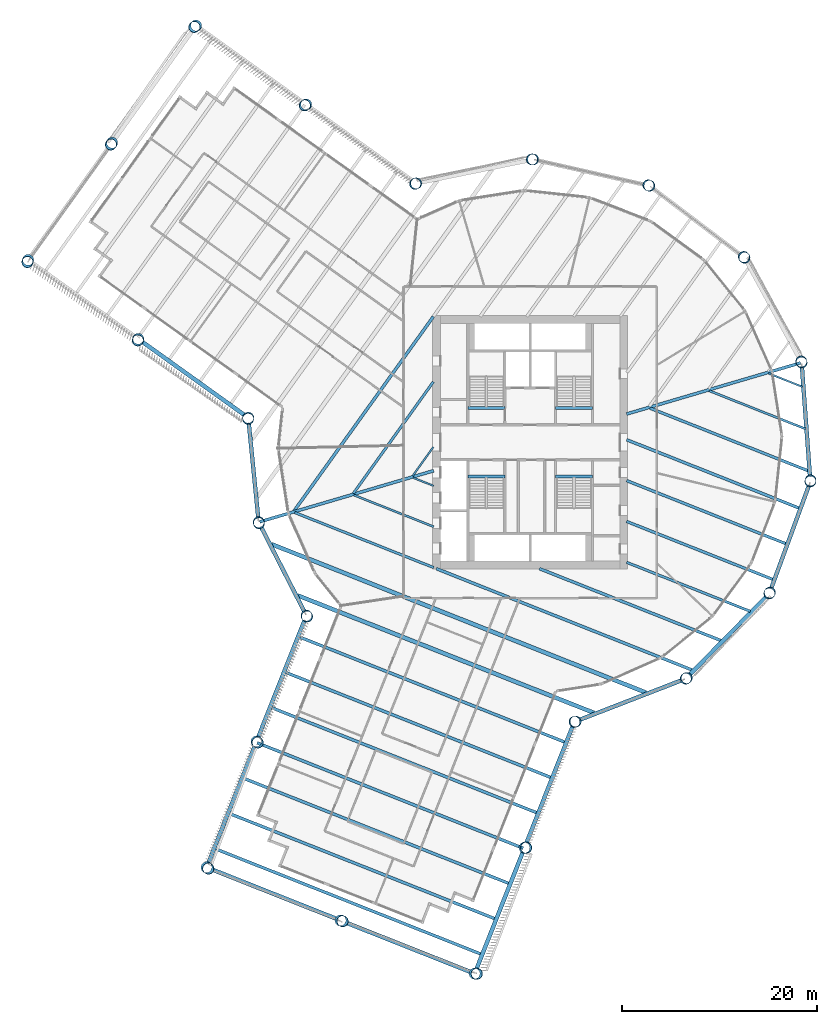
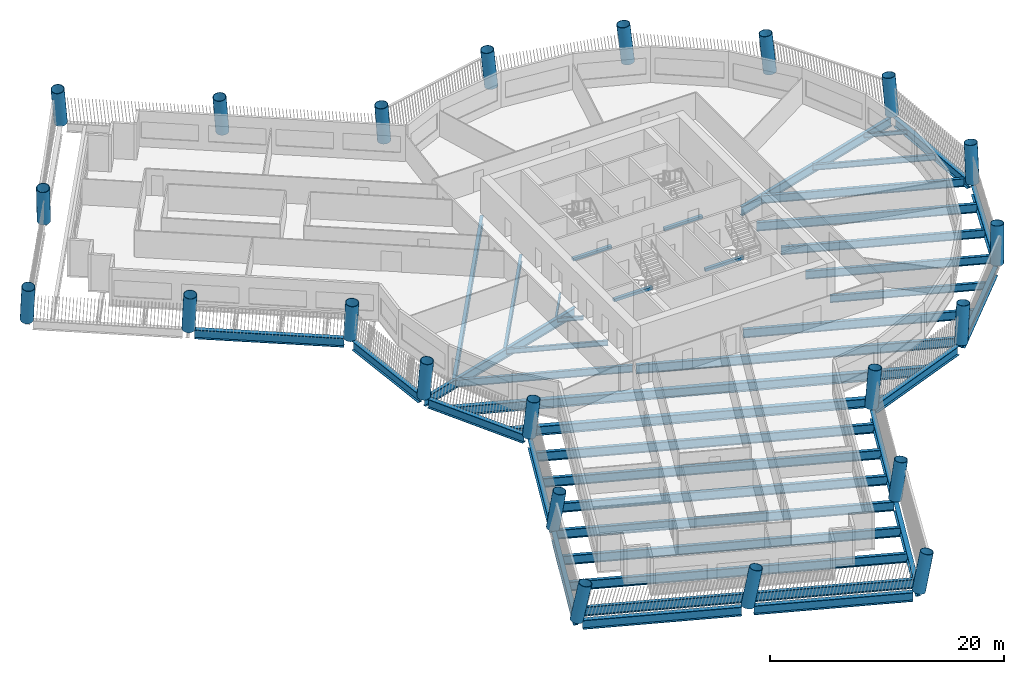
# One storey, part 1 of 17: 43 beams, 22 columns.
"""IFC4 building model written with IfcOpenShell, lengths in metres."""

from ifc_helpers import new_model, si_unit, direction, frame, origin, origin_2d, place, context, subcontext, project, spatial, rectangle, hollow_circle, i_section, extrude, material, material_profile, profile_set, type_object, element, save


model = new_model("IFC4")

# Units and contexts
model_context = context("Model", 3, precision=1e-05, world=origin(), true_north=direction((0.0, 1.0)))
body_context = subcontext(model_context, "Body", "Model", "MODEL_VIEW")
ifc_project = project(units=[si_unit("LENGTHUNIT", "METRE"), si_unit("AREAUNIT", "SQUARE_METRE"), si_unit("VOLUMEUNIT", "CUBIC_METRE"), si_unit("PLANEANGLEUNIT", "RADIAN"), si_unit("MASSUNIT", "GRAM", prefix="KILO")], contexts=[model_context])

# Site, building, storey
site_placement = place(None, origin())
site = spatial("IfcSite", under=ifc_project, at=site_placement, CompositionType="ELEMENT")
building_placement = place(site_placement, origin())
building = spatial("IfcBuilding", under=site, at=building_placement, Name="Tarsis Ring Headquarters", CompositionType="ELEMENT")
storey_placement = place(building_placement, frame((0.0, 0.0, 127.89990234375)))
storey = spatial("IfcBuildingStorey", under=building, at=storey_placement, Name="L29", CompositionType="ELEMENT", Elevation=127.89990234375)

# Columns
ifc_material_1 = material(Name="Structural steel S355", Category="steel")
ifc_material_profile_1 = material_profile(ifc_material_1, hollow_circle(Radius=0.584228515625, WallThickness=0.044921875, at=origin_2d()), Name="CHS 1168x45")
ifc_profile_set_1 = profile_set([ifc_material_profile_1], Name="Structural steel S355")
column_type = type_object("IfcColumnType", Name="XC Exo column CHS 1168x45", PredefinedType="COLUMN", material=ifc_profile_set_1)
for number, where, z_axis, x_axis, name in (
    (1, (-27.869384765625, -8.19189453125, 0.0009765625), (0.029098652981, -0.096580111606, 0.994899769041), (0.957485578267, 0.288481138742, 0.0), "Exo column XC3 F1"),
    (2, (-22.96826171875, -17.7841796875, 0.0009765625), (0.062309756681, -0.079320320255, 0.994899884922), (0.786382641851, 0.617739702946, 0.0), "Exo column XC3 AK"),
):
    element("IfcColumn", number, at=place(storey_placement, frame(where, z_axis=z_axis, x_axis=x_axis)), inside=storey, type_object=column_type, Name=name, PredefinedType="COLUMN", context=body_context, shape_type="SweptSolid", body=[
        extrude(hollow_circle(Radius=0.584228515625, WallThickness=0.044921875, at=origin_2d()), origin(), (0.0, 0.0, 1.0), 3.918212890625),
    ])
column_1_placement = place(storey_placement, frame((-28.090576171875, -30.708251953125, 0.001220703125), z_axis=(0.106740257326, -0.096326573684, 0.989609877006), x_axis=(0.669964520715, 0.742393117549, 0.0)))
element("IfcColumn", 3, at=column_1_placement, inside=storey, type_object=column_type, Name="Exo column XC3 AI1", PredefinedType="COLUMN", context=body_context, shape_type="SweptSolid", body=[
    extrude(hollow_circle(Radius=0.584228515625, WallThickness=0.044921875, at=origin_2d()), origin(), (0.0, 0.0, 1.0), 3.938720703125),
])
column_2_placement = place(storey_placement, frame((-33.212646484375, -43.632568359375, 0.00146484375), z_axis=(0.15037393194, -0.11284197675, 0.982168197854), x_axis=(0.600209430928, 0.799842883963, 0.0)))
element("IfcColumn", 4, at=column_2_placement, inside=storey, type_object=column_type, Name="Exo column XC3 AT1", PredefinedType="COLUMN", context=body_context, shape_type="SweptSolid", body=[
    extrude(hollow_circle(Radius=0.584228515625, WallThickness=0.044921875, at=origin_2d()), origin(), (0.0, 0.0, 1.0), 3.968017578125),
])
column_3_placement = place(storey_placement, frame((-19.453857421875, -49.08544921875, 0.00146484375), z_axis=(0.16892735348, -0.065673435014, 0.983438126767), x_axis=(0.362347839126, 0.932042940792, 0.0)))
element("IfcColumn", 5, at=column_3_placement, inside=storey, type_object=column_type, Name="Exo column XC3 AT2", PredefinedType="COLUMN", context=body_context, shape_type="SweptSolid", body=[
    extrude(hollow_circle(Radius=0.584228515625, WallThickness=0.044921875, at=origin_2d()), origin(), (0.0, 0.0, 1.0), 3.962890625),
])
column_4_placement = place(storey_placement, frame((-5.695068359375, -54.53857421875, 0.00146484375), z_axis=(0.187106519846, -0.018212275526, 0.982170791284), x_axis=(0.096878552523, 0.995296210211, 0.0)))
element("IfcColumn", 6, at=column_4_placement, inside=storey, type_object=column_type, Name="Exo column XC3 AT3", PredefinedType="COLUMN", context=body_context, shape_type="SweptSolid", body=[
    extrude(hollow_circle(Radius=0.584228515625, WallThickness=0.044921875, at=origin_2d()), origin(), (0.0, 0.0, 1.0), 3.968017578125),
])
column_5_placement = place(storey_placement, frame((-0.572998046875, -41.6142578125, 0.001220703125), z_axis=(0.143807333663, -0.000991774715, 0.989605207731), x_axis=(0.006896387722, 0.999976219635, 0.0)))
element("IfcColumn", 7, at=column_5_placement, inside=storey, type_object=column_type, Name="Exo column XC3 AO1", PredefinedType="COLUMN", context=body_context, shape_type="SweptSolid", body=[
    extrude(hollow_circle(Radius=0.584228515625, WallThickness=0.044921875, at=origin_2d()), origin(), (0.0, 0.0, 1.0), 3.938720703125),
])
for number, where, z_axis, x_axis, name in (
    (8, (4.54931640625, -28.690185546875, 0.0009765625), (0.099508661136, 0.016512082155, 0.99489968213), (-0.163697741773, 0.98651054193, 0.0), "Exo column XC3 AJ"),
    (9, (15.970703125, -24.264404296875, 0.0009765625), (0.083868739237, 0.056078651793, 0.994897592414), (-0.555839859743, 0.831289390237, 0.0), "Exo column XC3 R1"),
    (10, (24.55224609375, -15.524169921875, 0.0009765625), (0.053337143125, 0.085613591885, 0.994899724619), (-0.848760910555, 0.528776811816, 0.0), "Exo column XC3 R2"),
    (11, (28.7685546875, -4.02392578125, 0.0009765625), (0.013271955887, 0.100006991543, 0.994898214306), (-0.991308628166, 0.131556845981, 0.0), "Exo column XC3 R3"),
    (12, (27.869384765625, 8.19189453125, 0.0009765625), (-0.029098652981, 0.096580111606, 0.994899769041), (-0.957485578267, -0.288481138742, 0.0), "Exo column XC3 R4"),
    (13, (22.01513671875, 18.951171875, 0.0009765625), (-0.066297585355, 0.07601790802, 0.994899948656), (-0.753647182903, -0.657279182466, 0.0), "Exo column XC3 R5"),
    (14, (12.24658203125, 26.3408203125, 0.0009765625), (-0.091781892264, 0.041934292935, 0.994895773098), (-0.415570043283, -0.90956117943, 0.0), "Exo column XC3 R6"),
    (15, (0.30029296875, 29.046875, 0.0009765625), (-0.10087936525, 0.000373858055, 0.994898594781), (-0.003705965903, -0.999993132885, 0.0), "Exo column XC3 R7"),
    (16, (-11.69921875, 26.58837890625, 0.0009765625), (-0.092093427245, -0.041248882839, 0.994895637905), (0.408772210034, -0.91263644476, 0.0), "Exo column XC3 BJ"),
):
    element("IfcColumn", number, at=place(storey_placement, frame(where, z_axis=z_axis, x_axis=x_axis)), inside=storey, type_object=column_type, Name=name, PredefinedType="COLUMN", context=body_context, shape_type="SweptSolid", body=[
        extrude(hollow_circle(Radius=0.584228515625, WallThickness=0.044921875, at=origin_2d()), origin(), (0.0, 0.0, 1.0), 3.918212890625),
    ])
column_6_placement = place(storey_placement, frame((-23.00048828125, 34.68505859375, 0.001220703125), z_axis=(-0.119261792719, -0.080272360484, 0.989612536774), x_axis=(0.55837636859, -0.829587747619, 0.0)))
element("IfcColumn", 17, at=column_6_placement, inside=storey, type_object=column_type, Name="Exo column XC3 BO1", PredefinedType="COLUMN", context=body_context, shape_type="SweptSolid", body=[
    extrude(hollow_circle(Radius=0.584228515625, WallThickness=0.044921875, at=origin_2d()), origin(), (0.0, 0.0, 1.0), 3.938720703125),
])
column_7_placement = place(storey_placement, frame((-34.301513671875, 42.78173828125, 0.00146484375), z_axis=(-0.145882878377, -0.118564448179, 0.982171399209), x_axis=(0.630703514968, -0.776023888941, 0.0)))
element("IfcColumn", 18, at=column_7_placement, inside=storey, type_object=column_type, Name="Exo column XC3 BT3", PredefinedType="COLUMN", context=body_context, shape_type="SweptSolid", body=[
    extrude(hollow_circle(Radius=0.584228515625, WallThickness=0.044921875, at=origin_2d()), origin(), (0.0, 0.0, 1.0), 3.968017578125),
])
column_8_placement = place(storey_placement, frame((-42.921142578125, 30.7509765625, 0.00146484375), z_axis=(-0.104546858377, -0.148102915461, 0.983430465684), x_axis=(0.816958445152, -0.576696539694, 0.0)))
element("IfcColumn", 19, at=column_8_placement, inside=storey, type_object=column_type, Name="Exo column XC3 BT2", PredefinedType="COLUMN", context=body_context, shape_type="SweptSolid", body=[
    extrude(hollow_circle(Radius=0.584228515625, WallThickness=0.044921875, at=origin_2d()), origin(), (0.0, 0.0, 1.0), 3.962890625),
])
column_9_placement = place(storey_placement, frame((-51.540771484375, 18.719970703125, 0.00146484375), z_axis=(-0.06294311602, -0.177139033255, 0.982171027389), x_axis=(0.9422812498, -0.334822410054, 0.0)))
element("IfcColumn", 20, at=column_9_placement, inside=storey, type_object=column_type, Name="Exo column XC3 BT1", PredefinedType="COLUMN", context=body_context, shape_type="SweptSolid", body=[
    extrude(hollow_circle(Radius=0.584228515625, WallThickness=0.044921875, at=origin_2d()), origin(), (0.0, 0.0, 1.0), 3.968017578125),
])
column_10_placement = place(storey_placement, frame((-40.239501953125, 10.623291015625, 0.001220703125), z_axis=(-0.035765924991, -0.139282553649, 0.989606572764), x_axis=(0.968576052666, -0.248717571156, 0.0)))
element("IfcColumn", 21, at=column_10_placement, inside=storey, type_object=column_type, Name="Exo column XC3 BI1", PredefinedType="COLUMN", context=body_context, shape_type="SweptSolid", body=[
    extrude(hollow_circle(Radius=0.584228515625, WallThickness=0.044921875, at=origin_2d()), origin(), (0.0, 0.0, 1.0), 3.938720703125),
])
column_11_placement = place(storey_placement, frame((-28.9384765625, 2.526611328125, 0.0009765625), z_axis=(-0.008100246873, -0.100567680407, 0.994897244774), x_axis=(0.996771931213, -0.080285223704, 0.0)))
element("IfcColumn", 22, at=column_11_placement, inside=storey, type_object=column_type, Name="Exo column XC3 BK", PredefinedType="COLUMN", context=body_context, shape_type="SweptSolid", body=[
    extrude(hollow_circle(Radius=0.584228515625, WallThickness=0.044921875, at=origin_2d()), origin(), (0.0, 0.0, 1.0), 3.918212890625),
])

# Beams
ifc_material_profile_2 = material_profile(ifc_material_1, i_section(OverallWidth=0.177734375, OverallDepth=0.406494140625, WebThickness=0.0078125, FlangeThickness=0.0126953125, at=origin_2d()), Name="W16x40")
ifc_profile_set_2 = profile_set([ifc_material_profile_2], Name="Structural steel S355")
beam_type_1 = type_object("IfcBeamType", Name="FB Floor beam W16x40", PredefinedType="JOIST", material=ifc_profile_set_2)
beam_1_placement = place(storey_placement, frame((24.451171875, 7.08984375, -0.363037109375), z_axis=(0.92964650353, -0.368452681459, 0.0), x_axis=(0.368452681459, 0.92964650353, 0.0)))
element("IfcBeam", 23, at=beam_1_placement, inside=storey, type_object=beam_type_1, Name="Floor beam FB1", PredefinedType="JOIST", context=body_context, shape_type="SweptSolid", body=[
    extrude(i_section(OverallWidth=0.177734375, OverallDepth=0.406494140625, WebThickness=0.0078125, FlangeThickness=0.0126953125, at=origin_2d()), origin(), (0.0, 0.0, 1.0), 3.74169921875),
])
beam_2_placement = place(storey_placement, frame((-12.01416015625, -3.628662109375, -0.363037109375), z_axis=(0.929638344113, -0.368473267896, 0.0), x_axis=(0.368473267896, 0.929638344113, 0.0)))
element("IfcBeam", 24, at=beam_2_placement, inside=storey, type_object=beam_type_1, Name="Floor beam FB1", PredefinedType="JOIST", context=body_context, shape_type="SweptSolid", body=[
    extrude(i_section(OverallWidth=0.177734375, OverallDepth=0.406494140625, WebThickness=0.0078125, FlangeThickness=0.0126953125, at=origin_2d()), origin(), (0.0, 0.0, 1.0), 2.2666015625),
])
beam_3_placement = place(storey_placement, frame((-9.941650390625, -0.483642578125, -0.363037109375), z_axis=(-0.582427572892, -0.812882600586, 0.0), x_axis=(0.812882600586, -0.582427572892, 0.0)))
element("IfcBeam", 25, at=beam_3_placement, inside=storey, type_object=beam_type_1, Name="Floor beam FB1", PredefinedType="JOIST", context=body_context, shape_type="SweptSolid", body=[
    extrude(i_section(OverallWidth=0.177734375, OverallDepth=0.406494140625, WebThickness=0.0078125, FlangeThickness=0.0126953125, at=origin_2d()), origin(), (0.0, 0.0, 1.0), 3.6484375),
])
ifc_material_profile_3 = material_profile(ifc_material_1, i_section(OverallWidth=0.209228515625, OverallDepth=0.533447265625, WebThickness=0.01025390625, FlangeThickness=0.015625, at=origin_2d()), Name="W21x62")
ifc_profile_set_3 = profile_set([ifc_material_profile_3], Name="Structural steel S355")
beam_type_2 = type_object("IfcBeamType", Name="FB Floor beam W21x62", PredefinedType="JOIST", material=ifc_profile_set_3)
beam_4_placement = place(storey_placement, frame((-18.091552734375, -5.4150390625, -0.426513671875), z_axis=(0.929644404858, -0.368457976594, 0.0), x_axis=(0.368457976594, 0.929644404858, 0.0)))
element("IfcBeam", 26, at=beam_4_placement, inside=storey, type_object=beam_type_2, Name="Floor beam FB3", PredefinedType="JOIST", context=body_context, shape_type="SweptSolid", body=[
    extrude(i_section(OverallWidth=0.209228515625, OverallDepth=0.533447265625, WebThickness=0.01025390625, FlangeThickness=0.015625, at=origin_2d()), origin(), (0.0, 0.0, 1.0), 8.803955078125),
])
ifc_material_profile_4 = material_profile(ifc_material_1, i_section(OverallWidth=0.228271484375, OverallDepth=0.607177734375, WebThickness=0.01123046875, FlangeThickness=0.017333984375, at=origin_2d()), Name="W24x76")
ifc_profile_set_4 = profile_set([ifc_material_profile_4], Name="Structural steel S355")
beam_type_3 = type_object("IfcBeamType", Name="FB Floor beam W24x76", PredefinedType="JOIST", material=ifc_profile_set_4)
beam_5_placement = place(storey_placement, frame((18.37353515625, 5.303466796875, -0.46337890625), z_axis=(0.92964198765, -0.368464075315, 0.0), x_axis=(0.368464075315, 0.92964198765, 0.0)))
element("IfcBeam", 27, at=beam_5_placement, inside=storey, type_object=beam_type_3, Name="Floor beam FB4", PredefinedType="JOIST", context=body_context, shape_type="SweptSolid", body=[
    extrude(i_section(OverallWidth=0.228271484375, OverallDepth=0.607177734375, WebThickness=0.01123046875, FlangeThickness=0.017333984375, at=origin_2d()), origin(), (0.0, 0.0, 1.0), 10.621337890625),
])
ifc_material_profile_5 = material_profile(ifc_material_1, i_section(OverallWidth=0.2666015625, OverallDepth=0.7568359375, WebThickness=0.013916015625, FlangeThickness=0.019287109375, at=origin_2d()), Name="W30x108")
ifc_profile_set_5 = profile_set([ifc_material_profile_5], Name="Structural steel S355")
beam_type_4 = type_object("IfcBeamType", Name="FB Floor beam W30x108", PredefinedType="JOIST", material=ifc_profile_set_5)
beam_6_placement = place(storey_placement, frame((9.906982421875, -12.316650390625, -0.538330078125), z_axis=(0.929645204444, -0.368455959178, 0.0), x_axis=(0.368455959178, 0.929645204444, 0.0)))
element("IfcBeam", 28, at=beam_6_placement, inside=storey, type_object=beam_type_4, Name="Floor beam FB6", PredefinedType="JOIST", context=body_context, shape_type="SweptSolid", body=[
    extrude(i_section(OverallWidth=0.2666015625, OverallDepth=0.7568359375, WebThickness=0.013916015625, FlangeThickness=0.019287109375, at=origin_2d()), origin(), (0.0, 0.0, 1.0), 13.64892578125),
])
beam_7_placement = place(storey_placement, frame((-24.169189453125, -7.201416015625, -0.538330078125), z_axis=(0.929647460731, -0.368450266327, 0.0), x_axis=(0.368450266327, 0.929647460731, 0.0)))
element("IfcBeam", 29, at=beam_7_placement, inside=storey, type_object=beam_type_4, Name="Floor beam FB6", PredefinedType="JOIST", context=body_context, shape_type="SweptSolid", body=[
    extrude(i_section(OverallWidth=0.2666015625, OverallDepth=0.7568359375, WebThickness=0.013916015625, FlangeThickness=0.019287109375, at=origin_2d()), origin(), (0.0, 0.0, 1.0), 15.341552734375),
])
beam_8_placement = place(storey_placement, frame((-9.941650390625, 6.212890625, -0.538330078125), z_axis=(-0.582411664103, -0.812893998942, 0.0), x_axis=(0.812893998942, -0.582411664103, 0.0)))
element("IfcBeam", 30, at=beam_8_placement, inside=storey, type_object=beam_type_4, Name="Floor beam FB6", PredefinedType="JOIST", context=body_context, shape_type="SweptSolid", body=[
    extrude(i_section(OverallWidth=0.2666015625, OverallDepth=0.7568359375, WebThickness=0.013916015625, FlangeThickness=0.019287109375, at=origin_2d()), origin(), (0.0, 0.0, 1.0), 14.083984375),
])
ifc_material_profile_6 = material_profile(ifc_material_1, i_section(OverallWidth=0.2919921875, OverallDepth=0.835693359375, WebThickness=0.013916015625, FlangeThickness=0.018798828125, at=origin_2d()), Name="W33x118")
ifc_profile_set_6 = profile_set([ifc_material_profile_6], Name="Structural steel S355")
beam_type_5 = type_object("IfcBeamType", Name="FB Floor beam W33x118", PredefinedType="JOIST", material=ifc_profile_set_6)
beam_9_placement = place(storey_placement, frame((12.296142578125, 3.516845703125, -0.57763671875), z_axis=(0.929650578947, -0.368442398568, 0.0), x_axis=(0.368442398568, 0.929650578947, 0.0)))
element("IfcBeam", 31, at=beam_9_placement, inside=storey, type_object=beam_type_5, Name="Floor beam FB7", PredefinedType="JOIST", context=body_context, shape_type="SweptSolid", body=[
    extrude(i_section(OverallWidth=0.2919921875, OverallDepth=0.835693359375, WebThickness=0.013916015625, FlangeThickness=0.018798828125, at=origin_2d()), origin(), (0.0, 0.0, 1.0), 17.500732421875),
])
beam_10_placement = place(storey_placement, frame((9.906982421875, -3.926513671875, -0.57763671875), z_axis=(0.929648222084, -0.36844834533, 0.0), x_axis=(0.36844834533, 0.929648222084, 0.0)))
element("IfcBeam", 32, at=beam_10_placement, inside=storey, type_object=beam_type_5, Name="Floor beam FB7", PredefinedType="JOIST", context=body_context, shape_type="SweptSolid", body=[
    extrude(i_section(OverallWidth=0.2919921875, OverallDepth=0.835693359375, WebThickness=0.013916015625, FlangeThickness=0.018798828125, at=origin_2d()), origin(), (0.0, 0.0, 1.0), 17.63623046875),
])
beam_11_placement = place(storey_placement, frame((9.906982421875, -8.12158203125, -0.57763671875), z_axis=(0.929647104174, -0.368451165965, 0.0), x_axis=(0.368451165965, 0.929647104174, 0.0)))
element("IfcBeam", 33, at=beam_11_placement, inside=storey, type_object=beam_type_5, Name="Floor beam FB7", PredefinedType="JOIST", context=body_context, shape_type="SweptSolid", body=[
    extrude(i_section(OverallWidth=0.2919921875, OverallDepth=0.835693359375, WebThickness=0.013916015625, FlangeThickness=0.018798828125, at=origin_2d()), origin(), (0.0, 0.0, 1.0), 16.191650390625),
])
ifc_material_profile_7 = material_profile(ifc_material_1, i_section(OverallWidth=0.3046875, OverallDepth=0.904296875, WebThickness=0.01513671875, FlangeThickness=0.02001953125, at=origin_2d()), Name="W36x135")
ifc_profile_set_7 = profile_set([ifc_material_profile_7], Name="Structural steel S355")
beam_type_6 = type_object("IfcBeamType", Name="FB Floor beam W36x135", PredefinedType="JOIST", material=ifc_profile_set_7)
beam_12_placement = place(storey_placement, frame((9.906982421875, 0.2685546875, -0.612060546875), z_axis=(0.929647433722, -0.368450334473, 0.0), x_axis=(0.368450334473, 0.929647433722, 0.0)))
element("IfcBeam", 34, at=beam_12_placement, inside=storey, type_object=beam_type_6, Name="Floor beam FB8", PredefinedType="JOIST", context=body_context, shape_type="SweptSolid", body=[
    extrude(i_section(OverallWidth=0.3046875, OverallDepth=0.904296875, WebThickness=0.01513671875, FlangeThickness=0.02001953125, at=origin_2d()), origin(), (0.0, 0.0, 1.0), 19.08056640625),
])
beam_13_placement = place(storey_placement, frame((0.953125, -12.963134765625, -0.612060546875), z_axis=(0.929646162607, -0.368453541644, 0.0), x_axis=(0.368453541644, 0.929646162607, 0.0)))
element("IfcBeam", 35, at=beam_13_placement, inside=storey, type_object=beam_type_6, Name="Floor beam FB8", PredefinedType="JOIST", context=body_context, shape_type="SweptSolid", body=[
    extrude(i_section(OverallWidth=0.3046875, OverallDepth=0.904296875, WebThickness=0.01513671875, FlangeThickness=0.02001953125, at=origin_2d()), origin(), (0.0, 0.0, 1.0), 20.091064453125),
])
ifc_material_profile_8 = material_profile(ifc_material_1, i_section(OverallWidth=0.309814453125, OverallDepth=0.93212890625, WebThickness=0.02099609375, FlangeThickness=0.034423828125, at=origin_2d()), Name="W36x210")
ifc_profile_set_8 = profile_set([ifc_material_profile_8], Name="Structural steel S355")
beam_type_7 = type_object("IfcBeamType", Name="FB Floor beam W36x210", PredefinedType="JOIST", material=ifc_profile_set_8)
beam_14_placement = place(storey_placement, frame((-9.941650390625, 12.9091796875, -0.6259765625), z_axis=(-0.582409296825, -0.812895695014, 0.0), x_axis=(0.812895695014, -0.582409296825, 0.0)))
element("IfcBeam", 36, at=beam_14_placement, inside=storey, type_object=beam_type_7, Name="Floor beam FB10", PredefinedType="JOIST", context=body_context, shape_type="SweptSolid", body=[
    extrude(i_section(OverallWidth=0.309814453125, OverallDepth=0.93212890625, WebThickness=0.02099609375, FlangeThickness=0.034423828125, at=origin_2d()), origin(), (0.0, 0.0, 1.0), 24.519287109375),
])
ifc_material_profile_9 = material_profile(ifc_material_1, i_section(OverallWidth=0.309814453125, OverallDepth=0.949951171875, WebThickness=0.0244140625, FlangeThickness=0.0439453125, at=origin_2d()), Name="W36x256")
ifc_profile_set_9 = profile_set([ifc_material_profile_9], Name="Structural steel S355")
beam_type_8 = type_object("IfcBeamType", Name="FB Floor beam W36x256", PredefinedType="JOIST", material=ifc_profile_set_9)
beam_15_placement = place(storey_placement, frame((-9.6318359375, -12.963134765625, -0.635009765625), z_axis=(0.929648203067, -0.368448393313, 0.0), x_axis=(0.368448393313, 0.929648203067, 0.0)))
element("IfcBeam", 37, at=beam_15_placement, inside=storey, type_object=beam_type_8, Name="Floor beam FB11", PredefinedType="JOIST", context=body_context, shape_type="SweptSolid", body=[
    extrude(i_section(OverallWidth=0.309814453125, OverallDepth=0.949951171875, WebThickness=0.0244140625, FlangeThickness=0.0439453125, at=origin_2d()), origin(), (0.0, 0.0, 1.0), 28.287109375),
])
for number, where, z_axis, x_axis, name in (
    (38, (-23.713134765625, -19.967529296875, -0.635009765625), (0.929647610821, -0.36844988763, 0.0), (0.36844988763, 0.929647610821, 0.0), "Floor beam FB11"),
    (39, (-25.150146484375, -23.59326171875, -0.635009765625), (0.929647610821, -0.36844988763, 0.0), (0.36844988763, 0.929647610821, 0.0), "Floor beam FB11"),
    (40, (-26.587158203125, -27.218994140625, -0.635009765625), (0.929647610821, -0.36844988763, 0.0), (0.36844988763, 0.929647610821, 0.0), "Floor beam FB11"),
):
    element("IfcBeam", number, at=place(storey_placement, frame(where, z_axis=z_axis, x_axis=x_axis)), inside=storey, type_object=beam_type_8, Name=name, PredefinedType="JOIST", context=body_context, shape_type="SweptSolid", body=[
        extrude(i_section(OverallWidth=0.309814453125, OverallDepth=0.949951171875, WebThickness=0.0244140625, FlangeThickness=0.0439453125, at=origin_2d()), origin(), (0.0, 0.0, 1.0), 29.375732421875),
    ])
beam_16_placement = place(storey_placement, frame((-28.024169921875, -30.844482421875, -0.635009765625), z_axis=(0.929648739065, -0.368447040908, 0.0), x_axis=(0.368447040908, 0.929648739065, 0.0)))
element("IfcBeam", 41, at=beam_16_placement, inside=storey, type_object=beam_type_8, Name="Floor beam FB11", PredefinedType="JOIST", context=body_context, shape_type="SweptSolid", body=[
    extrude(i_section(OverallWidth=0.309814453125, OverallDepth=0.949951171875, WebThickness=0.0244140625, FlangeThickness=0.0439453125, at=origin_2d()), origin(), (0.0, 0.0, 1.0), 29.3759765625),
])
for number, where, z_axis, x_axis, name in (
    (42, (-29.4609375, -34.47021484375, -0.635009765625), (0.929647610821, -0.36844988763, 0.0), (0.36844988763, 0.929647610821, 0.0), "Floor beam FB11"),
    (43, (-30.89794921875, -38.095703125, -0.635009765625), (0.929647610821, -0.36844988763, 0.0), (0.36844988763, 0.929647610821, 0.0), "Floor beam FB11"),
    (44, (-32.3349609375, -41.721435546875, -0.635009765625), (0.929647610821, -0.36844988763, 0.0), (0.36844988763, 0.929647610821, 0.0), "Floor beam FB11"),
):
    element("IfcBeam", number, at=place(storey_placement, frame(where, z_axis=z_axis, x_axis=x_axis)), inside=storey, type_object=beam_type_8, Name=name, PredefinedType="JOIST", context=body_context, shape_type="SweptSolid", body=[
        extrude(i_section(OverallWidth=0.309814453125, OverallDepth=0.949951171875, WebThickness=0.0244140625, FlangeThickness=0.0439453125, at=origin_2d()), origin(), (0.0, 0.0, 1.0), 29.375732421875),
    ])
beam_type_9 = type_object("IfcBeamType", Name="FB Floor beam W36x256 spine", PredefinedType="BEAM", material=ifc_profile_set_9)
beam_17_placement = place(storey_placement, frame((-9.904052734375, -2.9111328125, -0.635009765625), z_axis=(-0.959412073795, -0.28200793013, 0.0), x_axis=(0.28200793013, -0.959412073795, 0.0)))
element("IfcBeam", 45, at=beam_17_placement, inside=storey, type_object=beam_type_9, Name="Floor beam SB11", PredefinedType="BEAM", context=body_context, shape_type="SweptSolid", body=[
    extrude(i_section(OverallWidth=0.309814453125, OverallDepth=0.949951171875, WebThickness=0.0244140625, FlangeThickness=0.0439453125, at=origin_2d()), origin(), (0.0, 0.0, 1.0), 18.609619140625),
])
beam_18_placement = place(storey_placement, frame((27.75732421875, 8.158935546875, -0.635009765625), z_axis=(-0.959411449919, -0.282010052594, 0.0), x_axis=(0.282010052594, -0.959411449919, 0.0)))
element("IfcBeam", 46, at=beam_18_placement, inside=storey, type_object=beam_type_9, Name="Floor beam SB11", PredefinedType="BEAM", context=body_context, shape_type="SweptSolid", body=[
    extrude(i_section(OverallWidth=0.309814453125, OverallDepth=0.949951171875, WebThickness=0.0244140625, FlangeThickness=0.0439453125, at=origin_2d()), origin(), (0.0, 0.0, 1.0), 18.608642578125),
])
ifc_material_profile_10 = material_profile(ifc_material_1, i_section(OverallWidth=0.42431640625, OverallDepth=0.947509765625, WebThickness=0.02392578125, FlangeThickness=0.042724609375, at=origin_2d()), Name="W36x302")
ifc_profile_set_10 = profile_set([ifc_material_profile_10], Name="Structural steel S355")
beam_type_10 = type_object("IfcBeamType", Name="FB Floor beam W36x302", PredefinedType="JOIST", material=ifc_profile_set_10)
beam_19_placement = place(storey_placement, frame((-26.550048828125, -10.453125, -0.633544921875), z_axis=(0.92964872773, -0.368447069509, 0.0), x_axis=(0.368447069509, 0.92964872773, 0.0)))
element("IfcBeam", 47, at=beam_19_placement, inside=storey, type_object=beam_type_10, Name="Floor beam FB12", PredefinedType="JOIST", context=body_context, shape_type="SweptSolid", body=[
    extrude(i_section(OverallWidth=0.42431640625, OverallDepth=0.947509765625, WebThickness=0.02392578125, FlangeThickness=0.042724609375, at=origin_2d()), origin(), (0.0, 0.0, 1.0), 41.352783203125),
])
beam_20_placement = place(storey_placement, frame((-23.8623046875, -15.71337890625, -0.633544921875), z_axis=(0.929647394025, -0.368450434635, 0.0), x_axis=(0.368450434635, 0.929647394025, 0.0)))
element("IfcBeam", 48, at=beam_20_placement, inside=storey, type_object=beam_type_10, Name="Floor beam FB12", PredefinedType="JOIST", context=body_context, shape_type="SweptSolid", body=[
    extrude(i_section(OverallWidth=0.42431640625, OverallDepth=0.947509765625, WebThickness=0.02392578125, FlangeThickness=0.042724609375, at=origin_2d()), origin(), (0.0, 0.0, 1.0), 32.70458984375),
])
ifc_material_2 = material(Name="Concrete C40/50", Category="concrete")
ifc_material_profile_11 = material_profile(ifc_material_2, rectangle(XDim=0.300048828125, YDim=0.300048828125, at=origin_2d()), Name="Stair head beam 300x300 C40/50")
ifc_profile_set_11 = profile_set([ifc_material_profile_11], Name="Concrete C40/50")
beam_type_11 = type_object("IfcBeamType", Name="Stair head beam 300x300 C40/50", PredefinedType="BEAM", material=ifc_profile_set_11)
for number, where, z_axis, x_axis, name in (
    (49, (-6.39990234375, 3.510009765625, -0.309814453125), (1.0, 0.0, 0.0), (0.0, 1.0, 0.0), "Stair head beam L29 Firefighting stair"),
    (50, (2.60009765625, 3.510009765625, -0.309814453125), (1.0, 0.0, 0.0), (0.0, 1.0, 0.0), "Stair head beam L29 Exit stair B"),
    (51, (-6.39990234375, -3.510009765625, -0.309814453125), (1.0, 0.0, 0.0), (0.0, 1.0, 0.0), "Stair head beam L29 Exit stair C"),
    (52, (2.60009765625, -3.510009765625, -0.309814453125), (1.0, 0.0, 0.0), (0.0, 1.0, 0.0), "Stair head beam L29 Exit stair D"),
):
    element("IfcBeam", number, at=place(storey_placement, frame(where, z_axis=z_axis, x_axis=x_axis)), inside=storey, type_object=beam_type_11, Name=name, PredefinedType="BEAM", context=body_context, shape_type="SweptSolid", body=[
        extrude(rectangle(XDim=0.300048828125, YDim=0.300048828125, at=origin_2d()), origin(), (0.0, 0.0, 1.0), 3.7998046875),
    ])
beam_type_12 = type_object("IfcBeamType", Name="XG Ring girder W36x302", PredefinedType="BEAM", material=ifc_profile_set_10)
beam_21_placement = place(storey_placement, frame((-27.63037109375, -8.66015625, -0.4736328125), z_axis=(0.455022990052, -0.890479690125, 0.0), x_axis=(0.890479690125, 0.455022990052, 0.0)))
element("IfcBeam", 53, at=beam_21_placement, inside=storey, type_object=beam_type_12, Name="Ring girder XG1", PredefinedType="BEAM", context=body_context, shape_type="SweptSolid", body=[
    extrude(i_section(OverallWidth=0.42431640625, OverallDepth=0.947509765625, WebThickness=0.02392578125, FlangeThickness=0.042724609375, at=origin_2d()), origin(), (0.0, 0.0, 1.0), 9.719970703125),
])
beam_22_placement = place(storey_placement, frame((-23.162109375, -18.272705078125, -0.4736328125), z_axis=(-0.36844739671, -0.929648598051, 0.0), x_axis=(0.929648598051, -0.36844739671, 0.0)))
element("IfcBeam", 54, at=beam_22_placement, inside=storey, type_object=beam_type_12, Name="Ring girder XG1", PredefinedType="BEAM", context=body_context, shape_type="SweptSolid", body=[
    extrude(i_section(OverallWidth=0.42431640625, OverallDepth=0.947509765625, WebThickness=0.02392578125, FlangeThickness=0.042724609375, at=origin_2d()), origin(), (0.0, 0.0, 1.0), 12.850830078125),
])
beam_23_placement = place(storey_placement, frame((-28.284423828125, -31.197021484375, -0.4736328125), z_axis=(-0.368453904139, -0.929646018936, 0.0), x_axis=(0.929646018936, -0.368453904139, 0.0)))
element("IfcBeam", 55, at=beam_23_placement, inside=storey, type_object=beam_type_12, Name="Ring girder XG1", PredefinedType="BEAM", context=body_context, shape_type="SweptSolid", body=[
    extrude(i_section(OverallWidth=0.42431640625, OverallDepth=0.947509765625, WebThickness=0.02392578125, FlangeThickness=0.042724609375, at=origin_2d()), origin(), (0.0, 0.0, 1.0), 12.8505859375),
])
for number, where, z_axis, x_axis, name in (
    (56, (-32.72412109375, -43.826171875, -0.4736328125), (0.929652582556, -0.368437343041, 0.0), (0.368437343041, 0.929652582556, 0.0), "Ring girder XG1"),
    (57, (-18.96533203125, -49.279052734375, -0.4736328125), (0.929646500115, -0.368452690076, 0.0), (0.368452690076, 0.929646500115, 0.0), "Ring girder XG1"),
):
    element("IfcBeam", number, at=place(storey_placement, frame(where, z_axis=z_axis, x_axis=x_axis)), inside=storey, type_object=beam_type_12, Name=name, PredefinedType="BEAM", context=body_context, shape_type="SweptSolid", body=[
        extrude(i_section(OverallWidth=0.42431640625, OverallDepth=0.947509765625, WebThickness=0.02392578125, FlangeThickness=0.042724609375, at=origin_2d()), origin(), (0.0, 0.0, 1.0), 13.74853515625),
    ])
for number, where, z_axis, x_axis, name in (
    (58, (-5.501708984375, -54.049560546875, -0.4736328125), (0.368453904139, 0.929646018936, 0.0), (-0.929646018936, 0.368453904139, 0.0), "Ring girder XG1"),
    (59, (-0.37939453125, -41.12548828125, -0.4736328125), (0.368453904139, 0.929646018936, 0.0), (-0.929646018936, 0.368453904139, 0.0), "Ring girder XG1"),
):
    element("IfcBeam", number, at=place(storey_placement, frame(where, z_axis=z_axis, x_axis=x_axis)), inside=storey, type_object=beam_type_12, Name=name, PredefinedType="BEAM", context=body_context, shape_type="SweptSolid", body=[
        extrude(i_section(OverallWidth=0.42431640625, OverallDepth=0.947509765625, WebThickness=0.02392578125, FlangeThickness=0.042724609375, at=origin_2d()), origin(), (0.0, 0.0, 1.0), 12.8505859375),
    ])
beam_24_placement = place(storey_placement, frame((5.03955078125, -28.5, -0.4736328125), z_axis=(0.932444679011, 0.361312773901, 0.0), x_axis=(-0.361312773901, 0.932444679011, 0.0)))
element("IfcBeam", 60, at=beam_24_placement, inside=storey, type_object=beam_type_12, Name="Ring girder XG1", PredefinedType="BEAM", context=body_context, shape_type="SweptSolid", body=[
    extrude(i_section(OverallWidth=0.42431640625, OverallDepth=0.947509765625, WebThickness=0.02392578125, FlangeThickness=0.042724609375, at=origin_2d()), origin(), (0.0, 0.0, 1.0), 11.197021484375),
])
for number, where, z_axis, x_axis, name in (
    (61, (16.3388671875, -23.88916015625, -0.4736328125), (0.700612485053, 0.713541971987, 0.0), (-0.713541971987, 0.700612485053, 0.0), "Ring girder XG1"),
    (62, (24.733154296875, -15.030517578125, -0.4736328125), (0.344215568708, 0.938890644462, 0.0), (-0.938890644462, 0.344215568708, 0.0), "Ring girder XG1"),
    (63, (28.72998046875, -3.49951171875, -0.4736328125), (-0.07339139968, 0.997303214902, 0.0), (-0.997303214902, -0.07339139968, 0.0), "Ring girder XG1"),
):
    element("IfcBeam", number, at=place(storey_placement, frame(where, z_axis=z_axis, x_axis=x_axis)), inside=storey, type_object=beam_type_12, Name=name, PredefinedType="BEAM", context=body_context, shape_type="SweptSolid", body=[
        extrude(i_section(OverallWidth=0.42431640625, OverallDepth=0.947509765625, WebThickness=0.02392578125, FlangeThickness=0.042724609375, at=origin_2d()), origin(), (0.0, 0.0, 1.0), 11.197265625),
    ])
beam_25_placement = place(storey_placement, frame((-39.81201171875, 10.317138671875, -0.4736328125), z_axis=(0.81290467363, -0.58239676475, 0.0), x_axis=(0.58239676475, 0.81290467363, 0.0)))
element("IfcBeam", 64, at=beam_25_placement, inside=storey, type_object=beam_type_12, Name="Ring girder XG1", PredefinedType="BEAM", context=body_context, shape_type="SweptSolid", body=[
    extrude(i_section(OverallWidth=0.42431640625, OverallDepth=0.947509765625, WebThickness=0.02392578125, FlangeThickness=0.042724609375, at=origin_2d()), origin(), (0.0, 0.0, 1.0), 12.8505859375),
])
beam_26_placement = place(storey_placement, frame((-28.88623046875, 2.00341796875, -0.4736328125), z_axis=(0.099237623517, -0.995063763826, 0.0), x_axis=(0.995063763826, 0.099237623517, 0.0)))
element("IfcBeam", 65, at=beam_26_placement, inside=storey, type_object=beam_type_12, Name="Ring girder XG1", PredefinedType="BEAM", context=body_context, shape_type="SweptSolid", body=[
    extrude(i_section(OverallWidth=0.42431640625, OverallDepth=0.947509765625, WebThickness=0.02392578125, FlangeThickness=0.042724609375, at=origin_2d()), origin(), (0.0, 0.0, 1.0), 9.72021484375),
])

save(model, "model.ifc")
